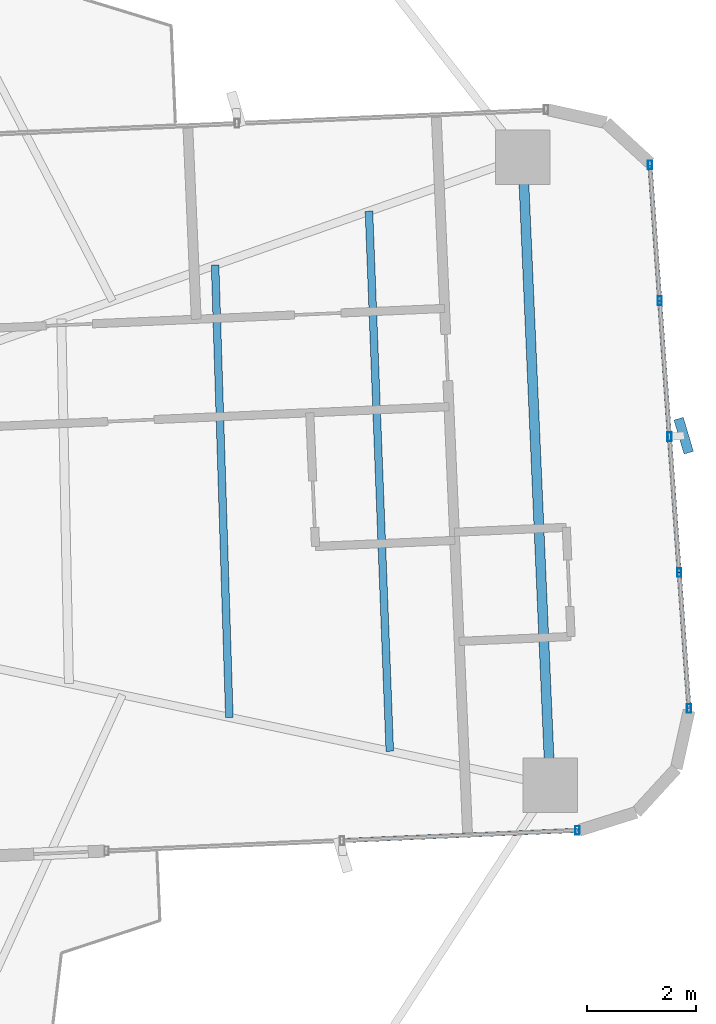
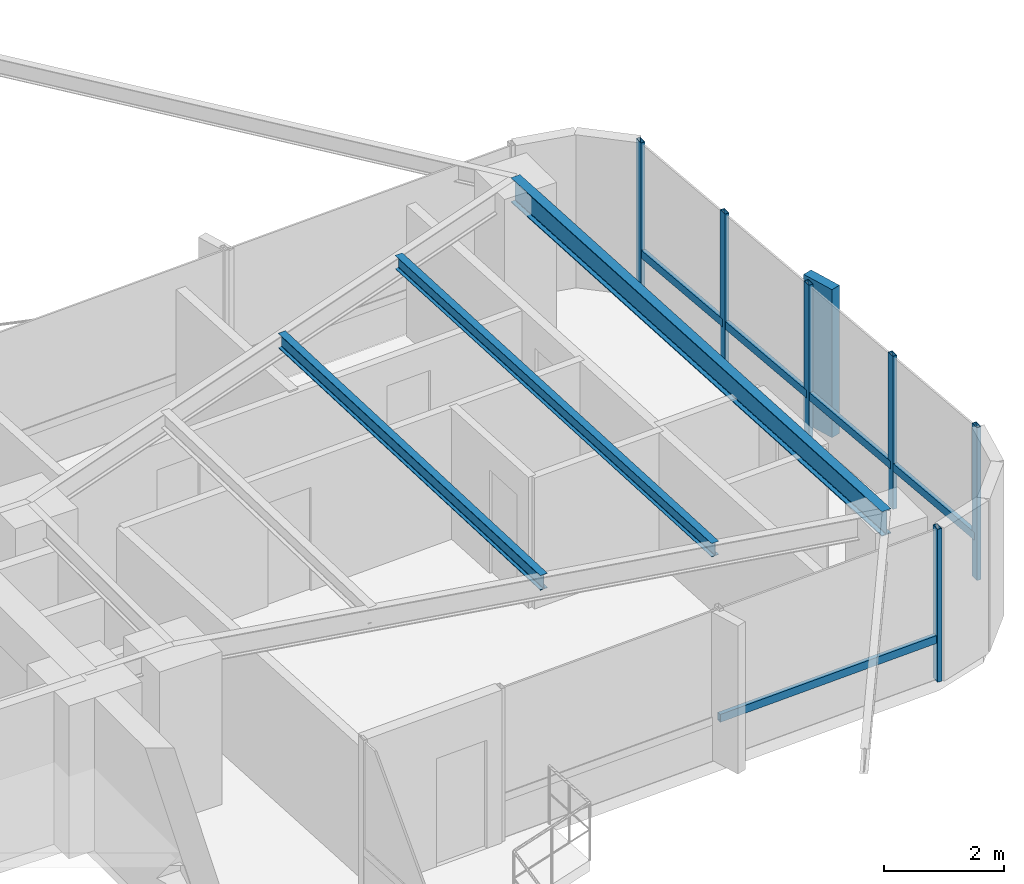
# One storey, part 15 of 26: 12 members, 3 beams, 2 elements without a shape of their own.
"""IFC4 building model written with IfcOpenShell, lengths in metres."""

from ifc_helpers import new_model, si_unit, direction, frame, origin, origin_2d, place, context, subcontext, project, spatial, rectangle, hollow_rectangle, i_section, extrude, source, transform, mapped, material, material_profile, profile_set, type_object, element, aggregate, save


model = new_model("IFC4")

# Units and contexts
model_context = context("Model", 3, precision=1e-05, world=origin(), true_north=direction((0.0, 1.0)))
body_context = subcontext(model_context, "Body", "Model", "MODEL_VIEW")
ifc_project = project(units=[si_unit("LENGTHUNIT", "METRE"), si_unit("AREAUNIT", "SQUARE_METRE"), si_unit("VOLUMEUNIT", "CUBIC_METRE"), si_unit("PLANEANGLEUNIT", "RADIAN"), si_unit("MASSUNIT", "GRAM", prefix="KILO")], contexts=[model_context])

# Site, building, storey
site_placement = place(None, origin())
site = spatial("IfcSite", under=ifc_project, at=site_placement, CompositionType="ELEMENT")
building_placement = place(site_placement, origin())
building = spatial("IfcBuilding", under=site, at=building_placement, Name="Sahyath Konkavel Grand Hotel", CompositionType="ELEMENT")
storey_placement = place(building_placement, frame((0.0, 0.0, 114.800048828125)))
storey = spatial("IfcBuildingStorey", under=building, at=storey_placement, Name="L31", CompositionType="ELEMENT", Elevation=114.800048828125)

# Beams
ifc_material_1 = material(Name="Steel E350", Category="steel")
ifc_material_profile_1 = material_profile(ifc_material_1, i_section(OverallWidth=0.179931640625, OverallDepth=0.5, WebThickness=0.01025390625, FlangeThickness=0.01708984375, FilletRadius=0.01708984375, at=origin_2d()), Name="ISMB 500")
ifc_profile_set_1 = profile_set([ifc_material_profile_1], Name="Steel E350")
beam_type_1 = type_object("IfcBeamType", Name="BM-ISMB500", PredefinedType="BEAM", material=ifc_profile_set_1)
shared_shape_1 = source(origin(), body_context, "Body", "SweptSolid", [
    extrude(i_section(OverallWidth=0.179931640625, OverallDepth=0.5, WebThickness=0.01025390625, FlangeThickness=0.01708984375, FilletRadius=0.01708984375, at=origin_2d()), origin(), (0.0, 0.0, 1.0), 11.5),
])
beam_1_placement = place(storey_placement, frame((17.734130859375, -4.981201171875, 2.85986328125), z_axis=(-0.043627008892, 0.99904788879, 0.0), x_axis=(-0.99904788879, -0.043627008892, 0.0)))
element("IfcBeam", 1, at=beam_1_placement, inside=storey, type_object=beam_type_1, Name="L31 Wing Tip Edge Beam E", PredefinedType="BEAM", context=body_context, shape_type="MappedRepresentation", body=[
    mapped(shared_shape_1, transform((0.0, 0.0, 0.0), scale=1.0)),
])
ifc_material_profile_2 = material_profile(ifc_material_1, i_section(OverallWidth=0.139892578125, OverallDepth=0.300048828125, WebThickness=0.0078125, FlangeThickness=0.01318359375, FilletRadius=0.013916015625, at=origin_2d()), Name="ISMB 300")
ifc_profile_set_2 = profile_set([ifc_material_profile_2], Name="Steel E350")
beam_type_2 = type_object("IfcBeamType", Name="BM-ISMB300", PredefinedType="BEAM", material=ifc_profile_set_2)
shared_shape_2 = source(origin(), body_context, "Body", "SweptSolid", [
    extrude(i_section(OverallWidth=0.139892578125, OverallDepth=0.300048828125, WebThickness=0.0078125, FlangeThickness=0.01318359375, FilletRadius=0.013916015625, at=origin_2d()), origin(), (0.0, 0.0, 1.0), 8.282470703125),
])
beam_2_placement = place(storey_placement, frame((11.86181640625, -3.7421875, 2.9599609375), z_axis=(-0.031510827707, 0.999503410568, 0.0), x_axis=(-0.999503410568, -0.031510827707, 0.0)))
element("IfcBeam", 2, at=beam_2_placement, inside=storey, type_object=beam_type_2, Name="L31 Secondary Floor Beam E-2", PredefinedType="BEAM", context=body_context, shape_type="MappedRepresentation", body=[
    mapped(shared_shape_2, transform((0.0, 0.0, 0.0), scale=1.0)),
])
ifc_material_profile_3 = material_profile(ifc_material_1, i_section(OverallWidth=0.139892578125, OverallDepth=0.27490234375, WebThickness=0.00634765625, FlangeThickness=0.0087890625, FilletRadius=0.012939453125, at=origin_2d()), Name="ISLB 275")
ifc_profile_set_3 = profile_set([ifc_material_profile_3], Name="Steel E350")
beam_type_3 = type_object("IfcBeamType", Name="BM-ISLB275", PredefinedType="BEAM", material=ifc_profile_set_3)
shared_shape_3 = source(origin(), body_context, "Body", "SweptSolid", [
    extrude(i_section(OverallWidth=0.139892578125, OverallDepth=0.27490234375, WebThickness=0.00634765625, FlangeThickness=0.0087890625, FilletRadius=0.012939453125, at=origin_2d()), origin(), (0.0, 0.0, 1.0), 9.89111328125),
])
beam_3_placement = place(storey_placement, frame((14.798095703125, -4.36181640625, 2.972412109375), z_axis=(-0.03855445741, 0.999256500511, 0.0), x_axis=(-0.999256500511, -0.03855445741, 0.0)))
element("IfcBeam", 3, at=beam_3_placement, inside=storey, type_object=beam_type_3, Name="L31 Secondary Floor Beam E-3", PredefinedType="BEAM", context=body_context, shape_type="MappedRepresentation", body=[
    mapped(shared_shape_3, transform((0.0, 0.0, 0.0), scale=1.0)),
])

# Curtain wall, member
ifc_material_2 = material(Name="Anodised Bronze Aluminium & Low-E Glazing", Category="aluminium")
curtain_wall_type = type_object("IfcCurtainWallType", Name="CW-ZONE2", PredefinedType="NOTDEFINED", material=ifc_material_2)
curtain_wall_1_placement = place(storey_placement, origin())
curtain_wall_1 = element("IfcCurtainWall", 4, at=curtain_wall_1_placement, inside=storey, type_object=curtain_wall_type, Name="L31 Unitised Curtain Wall F0", PredefinedType="NOTDEFINED")
ifc_material_3 = material(Name="Anodised Bronze Aluminium", Category="aluminium")
ifc_material_profile_4 = material_profile(ifc_material_3, hollow_rectangle(XDim=0.080078125, YDim=0.159912109375, WallThickness=0.006103515625, at=origin_2d()), Name="RHS 160x80x6")
ifc_profile_set_4 = profile_set([ifc_material_profile_4], Name="Anodised Bronze Aluminium")
member_type_1 = type_object("IfcMemberType", Name="CW-MUL-160", PredefinedType="MULLION", material=ifc_profile_set_4)
shared_shape_4 = source(origin(), body_context, "Body", "SweptSolid", [
    extrude(hollow_rectangle(XDim=0.080078125, YDim=0.159912109375, WallThickness=0.006103515625, at=origin_2d()), origin(), (0.0, 0.0, 1.0), 3.10986328125),
])
member_1_placement = place(storey_placement, frame((18.230712890625, -5.810302734375, 0.0), z_axis=(0.0, 0.0, 1.0), x_axis=(1.0, 0.0, 0.0)))
member_1 = element("IfcMember", 5, at=member_1_placement, type_object=member_type_1, Name="L31 Curtain Wall Mullion F0-2", PredefinedType="MULLION", context=body_context, shape_type="MappedRepresentation", body=[
    mapped(shared_shape_4, transform((0.0, 0.0, 0.0), scale=1.0)),
])

# Curtain wall, members
curtain_wall_2_placement = place(storey_placement, origin())
curtain_wall_2 = element("IfcCurtainWall", 6, at=curtain_wall_2_placement, inside=storey, type_object=curtain_wall_type, Name="L31 Unitised Curtain Wall F4", PredefinedType="NOTDEFINED")
member_2_placement = place(storey_placement, frame((20.2744140625, -3.5791015625, 0.0), z_axis=(0.0, 0.0, 1.0), x_axis=(1.0, 0.0, 0.0)))
member_2 = element("IfcMember", 7, at=member_2_placement, type_object=member_type_1, Name="L31 Curtain Wall Mullion F4-0", PredefinedType="MULLION", context=body_context, shape_type="MappedRepresentation", body=[
    mapped(shared_shape_4, transform((0.0, 0.0, 0.0), scale=1.0)),
])
member_3_placement = place(storey_placement, frame((20.095947265625, -1.092041015625, 0.0), z_axis=(0.0, 0.0, 1.0), x_axis=(1.0, 0.0, 0.0)))
member_3 = element("IfcMember", 8, at=member_3_placement, type_object=member_type_1, Name="L31 Curtain Wall Mullion F4-1", PredefinedType="MULLION", context=body_context, shape_type="MappedRepresentation", body=[
    mapped(shared_shape_4, transform((0.0, 0.0, 0.0), scale=1.0)),
])
member_4_placement = place(storey_placement, frame((19.91748046875, 1.39501953125, 0.0), z_axis=(0.0, 0.0, 1.0), x_axis=(1.0, 0.0, 0.0)))
member_4 = element("IfcMember", 9, at=member_4_placement, type_object=member_type_1, Name="L31 Curtain Wall Mullion F4-2", PredefinedType="MULLION", context=body_context, shape_type="MappedRepresentation", body=[
    mapped(shared_shape_4, transform((0.0, 0.0, 0.0), scale=1.0)),
])
member_5_placement = place(storey_placement, frame((19.739013671875, 3.882080078125, 0.0), z_axis=(0.0, 0.0, 1.0), x_axis=(1.0, 0.0, 0.0)))
member_5 = element("IfcMember", 10, at=member_5_placement, type_object=member_type_1, Name="L31 Curtain Wall Mullion F4-3", PredefinedType="MULLION", context=body_context, shape_type="MappedRepresentation", body=[
    mapped(shared_shape_4, transform((0.0, 0.0, 0.0), scale=1.0)),
])
member_6_placement = place(storey_placement, frame((19.560546875, 6.369384765625, 0.0), z_axis=(0.0, 0.0, 1.0), x_axis=(1.0, 0.0, 0.0)))
member_6 = element("IfcMember", 11, at=member_6_placement, type_object=member_type_1, Name="L31 Curtain Wall Mullion F4-4", PredefinedType="MULLION", context=body_context, shape_type="MappedRepresentation", body=[
    mapped(shared_shape_4, transform((0.0, 0.0, 0.0), scale=1.0)),
])
ifc_material_4 = material(Name="Warm Buff Sandstone Cladding on Concrete C50/60", Category="masonry")
ifc_material_profile_5 = material_profile(ifc_material_4, rectangle(XDim=0.179931640625, YDim=0.64990234375, at=origin_2d()), Name="FIN 180x650")
ifc_profile_set_5 = profile_set([ifc_material_profile_5], Name="Warm Buff Sandstone Cladding on Concrete C50/60")
member_type_2 = type_object("IfcMemberType", Name="FIN-SANDSTONE-650", PredefinedType="MULLION", material=ifc_profile_set_5)
shared_shape_5 = source(origin(), body_context, "Body", "SweptSolid", [
    extrude(rectangle(XDim=0.179931640625, YDim=0.64990234375, at=origin_2d()), origin(), (0.0, 0.0, 1.0), 3.010009765625),
])
member_7_placement = place(storey_placement, frame((20.1767578125, 1.413818359375, 0.050048828125), z_axis=(0.0, 0.0, 1.0), x_axis=(0.958720536398, 0.28435001862, 0.0)))
member_7 = element("IfcMember", 12, at=member_7_placement, type_object=member_type_2, Name="L31 Sandstone Vertical Solar Fin FIN F4-2", PredefinedType="MULLION", context=body_context, shape_type="MappedRepresentation", body=[
    mapped(shared_shape_5, transform((0.0, 0.0, 0.0), scale=1.0)),
])

# Member
ifc_material_profile_6 = material_profile(ifc_material_3, hollow_rectangle(XDim=0.080078125, YDim=0.159912109375, WallThickness=0.006103515625, at=origin_2d()), Name="RHS 160x80x6")
ifc_profile_set_6 = profile_set([ifc_material_profile_6], Name="Anodised Bronze Aluminium")
member_type_3 = type_object("IfcMemberType", Name="CW-TRN-160", PredefinedType="USERDEFINED", material=ifc_profile_set_6)
shared_shape_6 = source(origin(), body_context, "Body", "SweptSolid", [
    extrude(hollow_rectangle(XDim=0.080078125, YDim=0.159912109375, WallThickness=0.006103515625, at=origin_2d()), origin(), (0.0, 0.0, 1.0), 4.31005859375),
])
member_8_placement = place(storey_placement, frame((13.9248046875, -5.998291015625, 0.849853515625), z_axis=(0.999048340188, 0.043616670746, 0.0), x_axis=(-0.043616670746, 0.999048340188, 0.0)))
member_8 = element("IfcMember", 13, at=member_8_placement, type_object=member_type_3, Name="L31 Curtain Wall Transom F0-1-spandrel", ObjectType="TRANSOM", PredefinedType="USERDEFINED", context=body_context, shape_type="MappedRepresentation", body=[
    mapped(shared_shape_6, transform((0.0, 0.0, 0.0), scale=1.0)),
])

aggregate(curtain_wall_1, [member_1, member_8])

shared_shape_7 = source(origin(), body_context, "Body", "SweptSolid", [
    extrude(hollow_rectangle(XDim=0.080078125, YDim=0.159912109375, WallThickness=0.006103515625, at=origin_2d()), origin(), (0.0, 0.0, 1.0), 2.493408203125),
])
member_9_placement = place(storey_placement, frame((20.2744140625, -3.5791015625, 0.849853515625), z_axis=(-0.071574084062, 0.997435286367, 0.0), x_axis=(-0.997435286367, -0.071574084062, 0.0)))
member_9 = element("IfcMember", 14, at=member_9_placement, type_object=member_type_3, Name="L31 Curtain Wall Transom F4-0-spandrel", ObjectType="TRANSOM", PredefinedType="USERDEFINED", context=body_context, shape_type="MappedRepresentation", body=[
    mapped(shared_shape_7, transform((0.0, 0.0, 0.0), scale=1.0)),
])

member_10_placement = place(storey_placement, frame((20.095947265625, -1.092041015625, 0.849853515625), z_axis=(-0.071574084062, 0.997435286367, 0.0), x_axis=(-0.997435286367, -0.071574084062, 0.0)))
member_10 = element("IfcMember", 15, at=member_10_placement, type_object=member_type_3, Name="L31 Curtain Wall Transom F4-1-spandrel", ObjectType="TRANSOM", PredefinedType="USERDEFINED", context=body_context, shape_type="MappedRepresentation", body=[
    mapped(shared_shape_7, transform((0.0, 0.0, 0.0), scale=1.0)),
])

member_11_placement = place(storey_placement, frame((19.91748046875, 1.39501953125, 0.849853515625), z_axis=(-0.071574084062, 0.997435286367, 0.0), x_axis=(-0.997435286367, -0.071574084062, 0.0)))
member_11 = element("IfcMember", 16, at=member_11_placement, type_object=member_type_3, Name="L31 Curtain Wall Transom F4-2-spandrel", ObjectType="TRANSOM", PredefinedType="USERDEFINED", context=body_context, shape_type="MappedRepresentation", body=[
    mapped(shared_shape_7, transform((0.0, 0.0, 0.0), scale=1.0)),
])

shared_shape_8 = source(origin(), body_context, "Body", "SweptSolid", [
    extrude(hollow_rectangle(XDim=0.080078125, YDim=0.159912109375, WallThickness=0.006103515625, at=origin_2d()), origin(), (0.0, 0.0, 1.0), 2.49365234375),
])
member_12_placement = place(storey_placement, frame((19.739013671875, 3.882080078125, 0.849853515625), z_axis=(-0.071567094714, 0.997435787885, 0.0), x_axis=(-0.997435787885, -0.071567094714, 0.0)))
member_12 = element("IfcMember", 17, at=member_12_placement, type_object=member_type_3, Name="L31 Curtain Wall Transom F4-3-spandrel", ObjectType="TRANSOM", PredefinedType="USERDEFINED", context=body_context, shape_type="MappedRepresentation", body=[
    mapped(shared_shape_8, transform((0.0, 0.0, 0.0), scale=1.0)),
])

aggregate(curtain_wall_2, [member_2, member_3, member_4, member_7, member_5, member_6, member_9, member_10, member_11, member_12])

save(model, "model.ifc")
